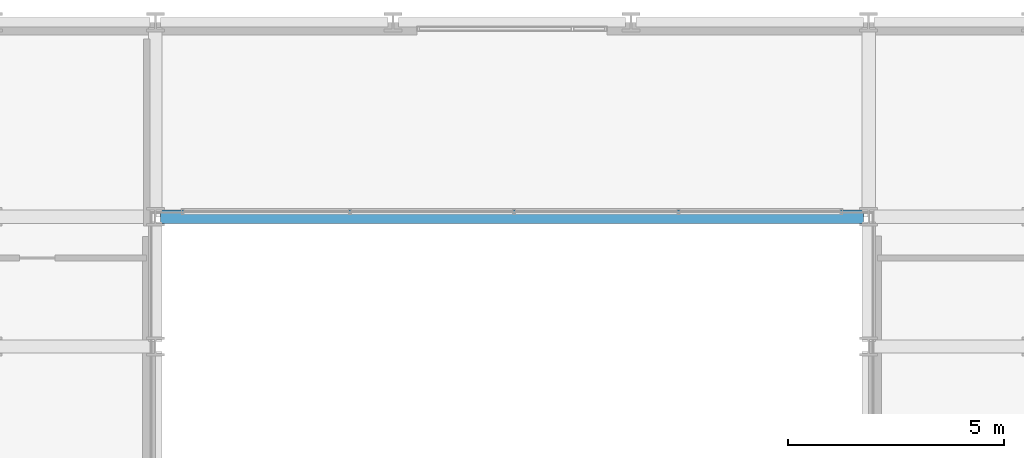
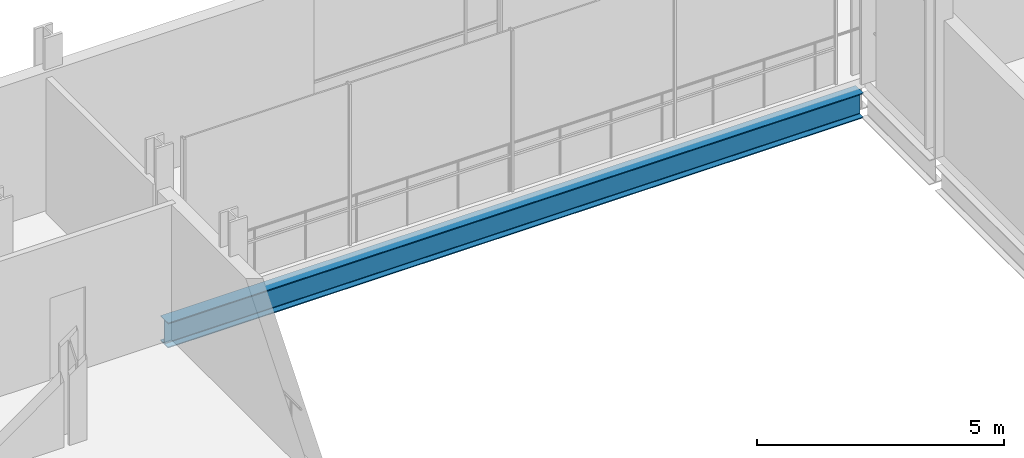
# One storey, part 12 of 32: 1 beam.
"""IFC4 building model written with IfcOpenShell, lengths in metres."""

from ifc_helpers import new_model, si_unit, direction, frame, origin, origin_2d, place, context, subcontext, project, spatial, i_section, extrude, material, material_profile, profile_set, type_object, element, save


model = new_model("IFC4")

# Units and contexts
model_context = context("Model", 3, precision=1e-05, world=origin(), true_north=direction((0.0, 1.0)))
body_context = subcontext(model_context, "Body", "Model", "MODEL_VIEW")
ifc_project = project(units=[si_unit("LENGTHUNIT", "METRE"), si_unit("AREAUNIT", "SQUARE_METRE"), si_unit("VOLUMEUNIT", "CUBIC_METRE"), si_unit("PLANEANGLEUNIT", "RADIAN"), si_unit("MASSUNIT", "GRAM", prefix="KILO")], contexts=[model_context])

# Site, building, storey
site_placement = place(None, origin())
site = spatial("IfcSite", under=ifc_project, at=site_placement, CompositionType="ELEMENT")
building_placement = place(site_placement, origin())
building = spatial("IfcBuilding", under=site, at=building_placement, Name="Brevholm Reach", CompositionType="ELEMENT")
storey_placement = place(building_placement, frame((0.0, 0.0, 96.199951171875)))
storey = spatial("IfcBuildingStorey", under=building, at=storey_placement, Name="L28", CompositionType="ELEMENT", Elevation=96.199951171875)

# Beam
ifc_material = material(Name="Structural Steel S355J2", Category="steel")
ifc_material_profile = material_profile(ifc_material, i_section(OverallWidth=0.30712890625, OverallDepth=0.6201171875, WebThickness=0.01416015625, FlangeThickness=0.023681640625, FilletRadius=0.0166015625, at=origin_2d()), Name="UKB 610x305x179")
ifc_profile_set = profile_set([ifc_material_profile], Name="Structural Steel S355J2")
beam_type = type_object("IfcBeamType", Name="BM-UKB610H", PredefinedType="USERDEFINED", material=ifc_profile_set)
beam_placement = place(storey_placement, frame((21.8701171875, 26.5, -0.570068359375), z_axis=(1.0, 0.0, 0.0), x_axis=(0.0, 1.0, 0.0)))
element("IfcBeam", 1, at=beam_placement, inside=storey, type_object=beam_type, Name="L28 G-06 Framing Beam", ObjectType="GIRDER", PredefinedType="USERDEFINED", context=body_context, shape_type="SweptSolid", body=[
    extrude(i_section(OverallWidth=0.30712890625, OverallDepth=0.6201171875, WebThickness=0.01416015625, FlangeThickness=0.023681640625, FilletRadius=0.0166015625, at=origin_2d()), origin(), (0.0, 0.0, 1.0), 16.259765625),
])

save(model, "model.ifc")
